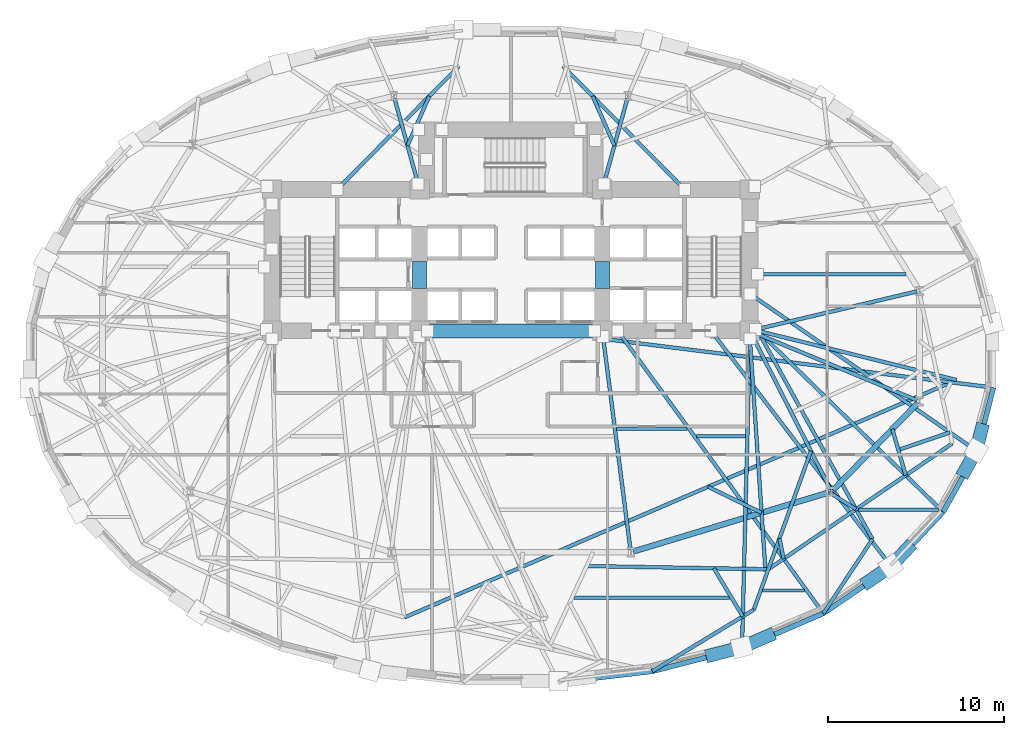
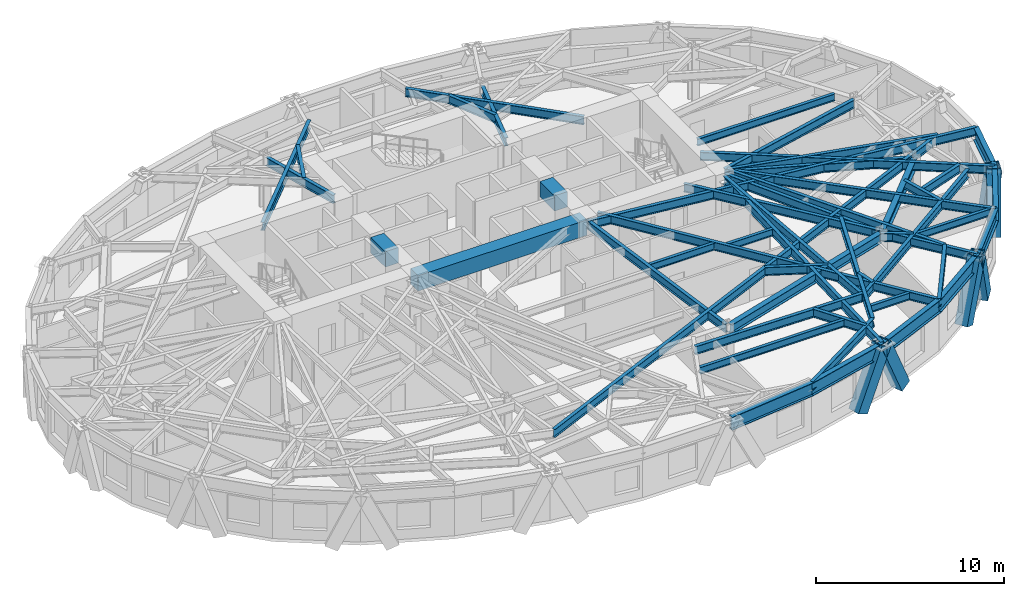
# One storey, part 3 of 13: 49 beams, 6 members.
"""IFC4 building model written with IfcOpenShell, lengths in metres."""

from ifc_helpers import new_model, si_unit, direction, frame, origin, origin_2d, place, context, subcontext, project, spatial, rectangle, hollow_rectangle, i_section, extrude, material, material_profile, profile_set, type_object, element, save


model = new_model("IFC4")

# Units and contexts
model_context = context("Model", 3, precision=1e-05, world=origin(), true_north=direction((0.0, 1.0)))
body_context = subcontext(model_context, "Body", "Model", "MODEL_VIEW")
ifc_project = project(units=[si_unit("LENGTHUNIT", "METRE"), si_unit("AREAUNIT", "SQUARE_METRE"), si_unit("VOLUMEUNIT", "CUBIC_METRE"), si_unit("PLANEANGLEUNIT", "RADIAN"), si_unit("MASSUNIT", "GRAM", prefix="KILO")], contexts=[model_context])

# Site, building, storey
site_placement = place(None, origin())
site = spatial("IfcSite", under=ifc_project, at=site_placement, CompositionType="ELEMENT")
building_placement = place(site_placement, origin())
building = spatial("IfcBuilding", under=site, at=building_placement, Name="Keldmark Tower", CompositionType="ELEMENT")
storey_placement = place(building_placement, frame((0.0, 0.0, 45.0)))
storey = spatial("IfcBuildingStorey", under=building, at=storey_placement, Name="L11", CompositionType="ELEMENT", Elevation=45.0)

# Beams
ifc_material_1 = material(Name="Steel ASTM A992 Grade 50", Category="steel")
ifc_material_profile_1 = material_profile(ifc_material_1, i_section(OverallWidth=0.19091796875, OverallDepth=0.45703125, WebThickness=0.009033203125, FlangeThickness=0.014404296875, at=origin_2d()), Name="W18X50")
ifc_profile_set_1 = profile_set([ifc_material_profile_1], Name="Steel ASTM A992 Grade 50")
beam_type_1 = type_object("IfcBeamType", Name="Composite Floor Joist W18X50", PredefinedType="JOIST", material=ifc_profile_set_1)
beam_1_placement = place(storey_placement, frame((3.57568359375, -13.800048828125, 3.17138671875), z_axis=(1.0, 0.0, 0.0), x_axis=(0.0, 1.0, 0.0)))
element("IfcBeam", 1, at=beam_1_placement, inside=storey, type_object=beam_type_1, Name="L11 Composite Floor Joist J02", PredefinedType="JOIST", context=body_context, shape_type="SweptSolid", body=[
    extrude(i_section(OverallWidth=0.19091796875, OverallDepth=0.45703125, WebThickness=0.009033203125, FlangeThickness=0.014404296875, at=origin_2d()), origin(), (0.0, 0.0, 1.0), 8.87353515625),
])
beam_2_placement = place(storey_placement, frame((14.321533203125, -13.3798828125, 3.17138671875), z_axis=(1.0, 0.0, 0.0), x_axis=(0.0, 1.0, 0.0)))
element("IfcBeam", 2, at=beam_2_placement, inside=storey, type_object=beam_type_1, Name="L11 Composite Floor Joist J03", PredefinedType="JOIST", context=body_context, shape_type="SweptSolid", body=[
    extrude(i_section(OverallWidth=0.19091796875, OverallDepth=0.45703125, WebThickness=0.009033203125, FlangeThickness=0.014404296875, at=origin_2d()), origin(), (0.0, 0.0, 1.0), 2.39453125),
])
beam_3_placement = place(storey_placement, frame((19.788818359375, -8.780029296875, 3.17138671875), z_axis=(1.0, 0.0, 0.0), x_axis=(0.0, 1.0, 0.0)))
element("IfcBeam", 3, at=beam_3_placement, inside=storey, type_object=beam_type_1, Name="L11 Composite Floor Joist J06", PredefinedType="JOIST", context=body_context, shape_type="SweptSolid", body=[
    extrude(i_section(OverallWidth=0.19091796875, OverallDepth=0.45703125, WebThickness=0.009033203125, FlangeThickness=0.014404296875, at=origin_2d()), origin(), (0.0, 0.0, 1.0), 4.5439453125),
])
beam_4_placement = place(storey_placement, frame((6.016845703125, -4.179931640625, 3.17138671875), z_axis=(1.0, 0.0, 0.0), x_axis=(0.0, 1.0, 0.0)))
element("IfcBeam", 4, at=beam_4_placement, inside=storey, type_object=beam_type_1, Name="L11 Composite Floor Joist J09", PredefinedType="JOIST", context=body_context, shape_type="SweptSolid", body=[
    extrude(i_section(OverallWidth=0.19091796875, OverallDepth=0.45703125, WebThickness=0.009033203125, FlangeThickness=0.014404296875, at=origin_2d()), origin(), (0.0, 0.0, 1.0), 4.003173828125),
])
beam_5_placement = place(storey_placement, frame((10.565673828125, -4.60009765625, 3.17138671875), z_axis=(1.0, 0.0, 0.0), x_axis=(0.0, 1.0, 0.0)))
element("IfcBeam", 5, at=beam_5_placement, inside=storey, type_object=beam_type_1, Name="L11 Composite Floor Joist J10", PredefinedType="JOIST", context=body_context, shape_type="SweptSolid", body=[
    extrude(i_section(OverallWidth=0.19091796875, OverallDepth=0.45703125, WebThickness=0.009033203125, FlangeThickness=0.014404296875, at=origin_2d()), origin(), (0.0, 0.0, 1.0), 2.797607421875),
])
beam_6_placement = place(storey_placement, frame((14.044921875, 4.6201171875, 3.17138671875), z_axis=(1.0, 0.0, 0.0), x_axis=(0.0, 1.0, 0.0)))
element("IfcBeam", 6, at=beam_6_placement, inside=storey, type_object=beam_type_1, Name="L11 Composite Floor Joist J13", PredefinedType="JOIST", context=body_context, shape_type="SweptSolid", body=[
    extrude(i_section(OverallWidth=0.19091796875, OverallDepth=0.45703125, WebThickness=0.009033203125, FlangeThickness=0.014404296875, at=origin_2d()), origin(), (0.0, 0.0, 1.0), 8.444580078125),
])
ifc_material_2 = material(Name="Concrete C70/85", Category="concrete")
ifc_material_profile_2 = material_profile(ifc_material_2, rectangle(XDim=0.800048828125, YDim=1.0, at=origin_2d()), Name="RCB800X1000")
ifc_profile_set_2 = profile_set([ifc_material_profile_2], Name="Concrete C70/85")
beam_type_2 = type_object("IfcBeamType", Name="Core Coupling Beam RCB800X1000", PredefinedType="USERDEFINED", material=ifc_profile_set_2)
for number, where, z_axis, x_axis, name in (
    (7, (-5.199951171875, 3.800048828125, 2.89990234375), (0.0, 1.0, 0.0), (-1.0, 0.0, 0.0), "L11 West Core Coupling Beam"),
    (8, (5.199951171875, 3.800048828125, 2.89990234375), (0.0, 1.0, 0.0), (-1.0, 0.0, 0.0), "L11 East Core Coupling Beam"),
):
    element("IfcBeam", number, at=place(storey_placement, frame(where, z_axis=z_axis, x_axis=x_axis)), inside=storey, type_object=beam_type_2, Name=name, ObjectType="COUPLING BEAM", PredefinedType="USERDEFINED", context=body_context, shape_type="SweptSolid", body=[
        extrude(rectangle(XDim=0.800048828125, YDim=1.0, at=origin_2d()), origin(), (0.0, 0.0, 1.0), 1.550048828125),
    ])
beam_7_placement = place(storey_placement, frame((-5.199951171875, 1.39990234375, 2.89990234375), z_axis=(1.0, 0.0, 0.0), x_axis=(0.0, 1.0, 0.0)))
element("IfcBeam", 9, at=beam_7_placement, inside=storey, type_object=beam_type_2, Name="L11 Central South Core Coupling Beam", ObjectType="COUPLING BEAM", PredefinedType="USERDEFINED", context=body_context, shape_type="SweptSolid", body=[
    extrude(rectangle(XDim=0.800048828125, YDim=1.0, at=origin_2d()), origin(), (0.0, 0.0, 1.0), 10.39990234375),
])

# Members
ifc_material_3 = material(Name="Steel ASTM A572 Grade 50", Category="steel")
ifc_material_profile_3 = material_profile(ifc_material_3, hollow_rectangle(XDim=0.75, YDim=0.75, WallThickness=0.06494140625, at=origin_2d()), Name="BOX750X750X65")
ifc_profile_set_3 = profile_set([ifc_material_profile_3], Name="Steel ASTM A572 Grade 50")
member_type = type_object("IfcMemberType", Name="Diagrid Lower Brace BOX750X750X65", PredefinedType="BRACE", material=ifc_profile_set_3)
member_1_placement = place(storey_placement, frame((11.43505859375, -17.053466796875, -0.280029296875), z_axis=(0.428494226352, 0.109845082283, 0.89684265949), x_axis=(-0.248321827558, 0.96867758824, 0.0)))
element("IfcMember", 10, at=member_1_placement, inside=storey, type_object=member_type, Name="L11 Perimeter Diagrid Brace 13B", PredefinedType="BRACE", context=body_context, shape_type="SweptSolid", body=[
    extrude(hollow_rectangle(XDim=0.75, YDim=0.75, WallThickness=0.06494140625, at=origin_2d()), origin(), (0.0, 0.0, 1.0), 3.969482421875),
])
member_2_placement = place(storey_placement, frame((14.66943359375, -15.958984375, -0.280029296875), z_axis=(-0.392299493002, -0.168429564178, 0.904285679253), x_axis=(0.394515266189, -0.918889386566, 0.0)))
element("IfcMember", 11, at=member_2_placement, inside=storey, type_object=member_type, Name="L11 Perimeter Diagrid Brace 14A", PredefinedType="BRACE", context=body_context, shape_type="SweptSolid", body=[
    extrude(hollow_rectangle(XDim=0.75, YDim=0.75, WallThickness=0.06494140625, at=origin_2d()), origin(), (0.0, 0.0, 1.0), 3.936767578125),
])
member_3_placement = place(storey_placement, frame((20.339111328125, -12.8837890625, -0.280029296875), z_axis=(0.333167796222, 0.225753042249, 0.915442397683), x_axis=(-0.560948167497, 0.827850924612, 0.0)))
element("IfcMember", 12, at=member_3_placement, inside=storey, type_object=member_type, Name="L11 Perimeter Diagrid Brace 14B", PredefinedType="BRACE", context=body_context, shape_type="SweptSolid", body=[
    extrude(hollow_rectangle(XDim=0.75, YDim=0.75, WallThickness=0.06494140625, at=origin_2d()), origin(), (0.0, 0.0, 1.0), 3.888916015625),
])
member_4_placement = place(storey_placement, frame((22.60498046875, -10.9677734375, -0.280029296875), z_axis=(-0.254987534516, -0.272673795643, 0.927701653772), x_axis=(0.730397557148, -0.683022260627, 0.0)))
element("IfcMember", 13, at=member_4_placement, inside=storey, type_object=member_type, Name="L11 Perimeter Diagrid Brace 15A", PredefinedType="BRACE", context=body_context, shape_type="SweptSolid", body=[
    extrude(hollow_rectangle(XDim=0.75, YDim=0.75, WallThickness=0.06494140625, at=origin_2d()), origin(), (0.0, 0.0, 1.0), 3.83740234375),
])
member_5_placement = place(storey_placement, frame((25.842041015625, -6.579345703125, -0.280029296875), z_axis=(0.16943120398, 0.303561561286, 0.937626495801), x_axis=(-0.873195871477, 0.487369438963, 0.0)))
element("IfcMember", 14, at=member_5_placement, inside=storey, type_object=member_type, Name="L11 Perimeter Diagrid Brace 15B", PredefinedType="BRACE", context=body_context, shape_type="SweptSolid", body=[
    extrude(hollow_rectangle(XDim=0.75, YDim=0.75, WallThickness=0.06494140625, at=origin_2d()), origin(), (0.0, 0.0, 1.0), 3.796875),
])
member_6_placement = place(storey_placement, frame((26.7900390625, -4.230224609375, -0.280029296875), z_axis=(-0.081943806471, -0.320072766982, 0.943842484961), x_axis=(0.968755649676, -0.248017118805, 0.0)))
element("IfcMember", 15, at=member_6_placement, inside=storey, type_object=member_type, Name="L11 Perimeter Diagrid Brace 16A", PredefinedType="BRACE", context=body_context, shape_type="SweptSolid", body=[
    extrude(hollow_rectangle(XDim=0.75, YDim=0.75, WallThickness=0.06494140625, at=origin_2d()), origin(), (0.0, 0.0, 1.0), 3.77197265625),
])

# Beams
ifc_material_4 = material(Name="Steel ASTM A992 Grade 50", Category="steel")
ifc_material_profile_4 = material_profile(ifc_material_4, i_section(OverallWidth=0.323974609375, OverallDepth=0.611083984375, WebThickness=0.0126953125, FlangeThickness=0.01904296875, at=origin_2d()), Name="W24X104")
ifc_profile_set_4 = profile_set([ifc_material_profile_4], Name="Steel ASTM A992 Grade 50")
beam_type_3 = type_object("IfcBeamType", Name="Primary Floor Girder W24X104", PredefinedType="BEAM", material=ifc_profile_set_4)
beam_8_placement = place(storey_placement, frame((6.9560546875, -11.165283203125, 3.094482421875), z_axis=(0.957346071406, 0.2889437654, 0.0), x_axis=(-0.2889437654, 0.957346071406, 0.0)))
element("IfcBeam", 16, at=beam_8_placement, inside=storey, type_object=beam_type_3, Name="L11 Floor Ring Girder FG-R10", PredefinedType="BEAM", context=body_context, shape_type="SweptSolid", body=[
    extrude(i_section(OverallWidth=0.323974609375, OverallDepth=0.611083984375, WebThickness=0.0126953125, FlangeThickness=0.01904296875, at=origin_2d()), origin(), (0.0, 0.0, 1.0), 11.66015625),
])
beam_9_placement = place(storey_placement, frame((18.350341796875, -7.6552734375, 3.094482421875), z_axis=(0.697210382268, 0.716866572563, 0.0), x_axis=(-0.716866572563, 0.697210382268, 0.0)))
element("IfcBeam", 17, at=beam_9_placement, inside=storey, type_object=beam_type_3, Name="L11 Floor Ring Girder FG-R11", PredefinedType="BEAM", context=body_context, shape_type="SweptSolid", body=[
    extrude(i_section(OverallWidth=0.323974609375, OverallDepth=0.611083984375, WebThickness=0.0126953125, FlangeThickness=0.01904296875, at=origin_2d()), origin(), (0.0, 0.0, 1.0), 6.893310546875),
])
ifc_material_5 = material(Name="Steel ASTM A992 Grade 50", Category="steel")
ifc_material_profile_5 = material_profile(ifc_material_5, i_section(OverallWidth=0.2099609375, OverallDepth=0.537109375, WebThickness=0.010986328125, FlangeThickness=0.017333984375, at=origin_2d()), Name="W21X68")
ifc_profile_set_5 = profile_set([ifc_material_profile_5], Name="Steel ASTM A992 Grade 50")
beam_type_4 = type_object("IfcBeamType", Name="Radial Tie Girder W21X68", PredefinedType="BEAM", material=ifc_profile_set_5)
beam_10_placement = place(storey_placement, frame((5.889404296875, 11.948486328125, 3.131591796875), z_axis=(-0.403401535143, 0.915023060608, 0.0), x_axis=(-0.915023060608, -0.403401535143, 0.0)))
element("IfcBeam", 18, at=beam_10_placement, inside=storey, type_object=beam_type_4, Name="L11 Framing Pin Header PH-002", PredefinedType="BEAM", context=body_context, shape_type="SweptSolid", body=[
    extrude(i_section(OverallWidth=0.2099609375, OverallDepth=0.537109375, WebThickness=0.010986328125, FlangeThickness=0.017333984375, at=origin_2d()), origin(), (0.0, 0.0, 1.0), 3.072509765625),
])
beam_11_placement = place(storey_placement, frame((9.892822265625, 9.449951171875, 3.131591796875), z_axis=(-0.702598504383, 0.711586496245, 0.0), x_axis=(-0.711586496245, -0.702598504383, 0.0)))
element("IfcBeam", 19, at=beam_11_placement, inside=storey, type_object=beam_type_4, Name="L11 Sub-Ring Step Girder STP1-M03", PredefinedType="BEAM", context=body_context, shape_type="SweptSolid", body=[
    extrude(i_section(OverallWidth=0.2099609375, OverallDepth=0.537109375, WebThickness=0.010986328125, FlangeThickness=0.017333984375, at=origin_2d()), origin(), (0.0, 0.0, 1.0), 9.860107421875),
])
beam_12_placement = place(storey_placement, frame((-5.889404296875, 11.948486328125, 3.131591796875), z_axis=(0.403401535143, 0.915023060608, 0.0), x_axis=(-0.915023060608, 0.403401535143, 0.0)))
element("IfcBeam", 20, at=beam_12_placement, inside=storey, type_object=beam_type_4, Name="L11 Framing Pin Header PH-003", PredefinedType="BEAM", context=body_context, shape_type="SweptSolid", body=[
    extrude(i_section(OverallWidth=0.2099609375, OverallDepth=0.537109375, WebThickness=0.010986328125, FlangeThickness=0.017333984375, at=origin_2d()), origin(), (0.0, 0.0, 1.0), 3.072509765625),
])
beam_13_placement = place(storey_placement, frame((-9.892822265625, 9.449951171875, 3.131591796875), z_axis=(0.702598504383, 0.711586496245, 0.0), x_axis=(-0.711586496245, 0.702598504383, 0.0)))
element("IfcBeam", 21, at=beam_13_placement, inside=storey, type_object=beam_type_4, Name="L11 Sub-Ring Step Girder STP1-M04", PredefinedType="BEAM", context=body_context, shape_type="SweptSolid", body=[
    extrude(i_section(OverallWidth=0.2099609375, OverallDepth=0.537109375, WebThickness=0.010986328125, FlangeThickness=0.017333984375, at=origin_2d()), origin(), (0.0, 0.0, 1.0), 9.860107421875),
])
beam_14_placement = place(storey_placement, frame((14.050048828125, 1.39990234375, 3.131591796875), z_axis=(0.970791969309, -0.239922804929, 0.0), x_axis=(0.239922804929, 0.970791969309, 0.0)))
element("IfcBeam", 22, at=beam_14_placement, inside=storey, type_object=beam_type_4, Name="L11 Sub-Ring Step Girder STP1-M12", PredefinedType="BEAM", context=body_context, shape_type="SweptSolid", body=[
    extrude(i_section(OverallWidth=0.2099609375, OverallDepth=0.537109375, WebThickness=0.010986328125, FlangeThickness=0.017333984375, at=origin_2d()), origin(), (0.0, 0.0, 1.0), 11.656494140625),
])
beam_15_placement = place(storey_placement, frame((-6.0634765625, -14.916015625, 3.131591796875), z_axis=(0.91862010832, 0.395141868942, 0.0), x_axis=(-0.395141868942, 0.91862010832, 0.0)))
element("IfcBeam", 23, at=beam_15_placement, inside=storey, type_object=beam_type_4, Name="L11 Perimeter Collector Ring Beam CRG1-M09", PredefinedType="BEAM", context=body_context, shape_type="SweptSolid", body=[
    extrude(i_section(OverallWidth=0.2099609375, OverallDepth=0.537109375, WebThickness=0.010986328125, FlangeThickness=0.017333984375, at=origin_2d()), origin(), (0.0, 0.0, 1.0), 34.2138671875),
])
beam_16_placement = place(storey_placement, frame((11.22265625, -7.48046875, 3.131591796875), z_axis=(0.899644164592, -0.436623839381, 0.0), x_axis=(0.436623839381, 0.899644164592, 0.0)))
element("IfcBeam", 24, at=beam_16_placement, inside=storey, type_object=beam_type_4, Name="L11 Framing Pin Header PH-014", PredefinedType="BEAM", context=body_context, shape_type="SweptSolid", body=[
    extrude(i_section(OverallWidth=0.2099609375, OverallDepth=0.537109375, WebThickness=0.010986328125, FlangeThickness=0.017333984375, at=origin_2d()), origin(), (0.0, 0.0, 1.0), 3.385009765625),
])
beam_17_placement = place(storey_placement, frame((13.60009765625, 0.949951171875, 3.131591796875), z_axis=(0.067249465921, -0.997736192254, 0.0), x_axis=(0.997736192254, 0.067249465921, 0.0)))
element("IfcBeam", 25, at=beam_17_placement, inside=storey, type_object=beam_type_4, Name="L11 Sub-Ring Step Girder STP2-M11", PredefinedType="BEAM", context=body_context, shape_type="SweptSolid", body=[
    extrude(i_section(OverallWidth=0.2099609375, OverallDepth=0.537109375, WebThickness=0.010986328125, FlangeThickness=0.017333984375, at=origin_2d()), origin(), (0.0, 0.0, 1.0), 13.265380859375),
])
beam_18_placement = place(storey_placement, frame((14.4921875, -12.285400390625, 3.131591796875), z_axis=(0.82527984309, 0.564723986199, 0.0), x_axis=(-0.564723986199, 0.82527984309, 0.0)))
element("IfcBeam", 26, at=beam_18_placement, inside=storey, type_object=beam_type_4, Name="L11 Perimeter Collector Ring Beam CRG2-M11", PredefinedType="BEAM", context=body_context, shape_type="SweptSolid", body=[
    extrude(i_section(OverallWidth=0.2099609375, OverallDepth=0.537109375, WebThickness=0.010986328125, FlangeThickness=0.017333984375, at=origin_2d()), origin(), (0.0, 0.0, 1.0), 12.886474609375),
])
beam_19_placement = place(storey_placement, frame((4.3115234375, -11.99169921875, 3.131591796875), z_axis=(0.99984245989, -0.017749800043, 0.0), x_axis=(0.017749800043, 0.99984245989, 0.0)))
element("IfcBeam", 27, at=beam_19_placement, inside=storey, type_object=beam_type_4, Name="L11 Framing Pin Header PH-037", PredefinedType="BEAM", context=body_context, shape_type="SweptSolid", body=[
    extrude(i_section(OverallWidth=0.2099609375, OverallDepth=0.537109375, WebThickness=0.010986328125, FlangeThickness=0.017333984375, at=origin_2d()), origin(), (0.0, 0.0, 1.0), 10.343505859375),
])
beam_20_placement = place(storey_placement, frame((17.078369140625, -5.4443359375, 3.131591796875), z_axis=(-0.338967889835, -0.940797943057, 0.0), x_axis=(0.940797943057, -0.338967889835, 0.0)))
element("IfcBeam", 28, at=beam_20_placement, inside=storey, type_object=beam_type_4, Name="L11 Intermediate Radial Step Girder RT-27M", PredefinedType="BEAM", context=body_context, shape_type="SweptSolid", body=[
    extrude(i_section(OverallWidth=0.2099609375, OverallDepth=0.537109375, WebThickness=0.010986328125, FlangeThickness=0.017333984375, at=origin_2d()), origin(), (0.0, 0.0, 1.0), 9.6044921875),
])
beam_21_placement = place(storey_placement, frame((8.05029296875, -17.982666015625, 3.131591796875), z_axis=(0.854936428272, 0.51873278633, 0.0), x_axis=(-0.51873278633, 0.854936428272, 0.0)))
element("IfcBeam", 29, at=beam_21_placement, inside=storey, type_object=beam_type_4, Name="L11 Local Collector Chord RT-27C", PredefinedType="BEAM", context=body_context, shape_type="SweptSolid", body=[
    extrude(i_section(OverallWidth=0.2099609375, OverallDepth=0.537109375, WebThickness=0.010986328125, FlangeThickness=0.017333984375, at=origin_2d()), origin(), (0.0, 0.0, 1.0), 6.751953125),
])
beam_22_placement = place(storey_placement, frame((11.55078125, -12.120361328125, 3.131591796875), z_axis=(0.515843130065, -0.856683059926, 0.0), x_axis=(0.856683059926, 0.515843130065, 0.0)))
element("IfcBeam", 30, at=beam_22_placement, inside=storey, type_object=beam_type_4, Name="L11 Framing Pin Header PH-038", PredefinedType="BEAM", context=body_context, shape_type="SweptSolid", body=[
    extrude(i_section(OverallWidth=0.2099609375, OverallDepth=0.537109375, WebThickness=0.010986328125, FlangeThickness=0.017333984375, at=origin_2d()), origin(), (0.0, 0.0, 1.0), 3.196044921875),
])
beam_23_placement = place(storey_placement, frame((13.60009765625, 0.949951171875, 3.131591796875), z_axis=(-0.02534127953, -0.99967885821, 0.0), x_axis=(0.99967885821, -0.02534127953, 0.0)))
element("IfcBeam", 31, at=beam_23_placement, inside=storey, type_object=beam_type_4, Name="L11 Perimeter Radial Tie Girder RT-27", PredefinedType="BEAM", context=body_context, shape_type="SweptSolid", body=[
    extrude(i_section(OverallWidth=0.2099609375, OverallDepth=0.537109375, WebThickness=0.010986328125, FlangeThickness=0.017333984375, at=origin_2d()), origin(), (0.0, 0.0, 1.0), 17.63037109375),
])
beam_24_placement = place(storey_placement, frame((15.287841796875, -10.4140625, 3.131591796875), z_axis=(0.199630044772, -0.979871341159, 0.0), x_axis=(0.979871341159, 0.199630044772, 0.0)))
element("IfcBeam", 32, at=beam_24_placement, inside=storey, type_object=beam_type_4, Name="L11 Framing Pin Header PH-039", PredefinedType="BEAM", context=body_context, shape_type="SweptSolid", body=[
    extrude(i_section(OverallWidth=0.2099609375, OverallDepth=0.537109375, WebThickness=0.010986328125, FlangeThickness=0.017333984375, at=origin_2d()), origin(), (0.0, 0.0, 1.0), 1.188720703125),
])
beam_25_placement = place(storey_placement, frame((6.07861328125, 1.39990234375, 3.131591796875), z_axis=(0.588470082326, -0.808518993102, 0.0), x_axis=(0.808518993102, 0.588470082326, 0.0)))
element("IfcBeam", 33, at=beam_25_placement, inside=storey, type_object=beam_type_4, Name="L11 Perimeter Radial Tie Girder RT-28", PredefinedType="BEAM", context=body_context, shape_type="SweptSolid", body=[
    extrude(i_section(OverallWidth=0.2099609375, OverallDepth=0.537109375, WebThickness=0.010986328125, FlangeThickness=0.017333984375, at=origin_2d()), origin(), (0.0, 0.0, 1.0), 19.895263671875),
])
beam_26_placement = place(storey_placement, frame((18.118896484375, -7.796142578125, 3.131591796875), z_axis=(0.845948150047, -0.533265156776, 0.0), x_axis=(0.533265156776, 0.845948150047, 0.0)))
element("IfcBeam", 34, at=beam_26_placement, inside=storey, type_object=beam_type_4, Name="L11 Framing Pin Header PH-040", PredefinedType="BEAM", context=body_context, shape_type="SweptSolid", body=[
    extrude(i_section(OverallWidth=0.2099609375, OverallDepth=0.537109375, WebThickness=0.010986328125, FlangeThickness=0.017333984375, at=origin_2d()), origin(), (0.0, 0.0, 1.0), 1.80517578125),
])
beam_27_placement = place(storey_placement, frame((14.050048828125, 1.39990234375, 3.131591796875), z_axis=(0.482477991977, -0.875908092929, 0.0), x_axis=(0.875908092929, 0.482477991977, 0.0)))
element("IfcBeam", 35, at=beam_27_placement, inside=storey, type_object=beam_type_4, Name="L11 Intermediate Radial Step Girder RT-29M", PredefinedType="BEAM", context=body_context, shape_type="SweptSolid", body=[
    extrude(i_section(OverallWidth=0.2099609375, OverallDepth=0.537109375, WebThickness=0.010986328125, FlangeThickness=0.017333984375, at=origin_2d()), origin(), (0.0, 0.0, 1.0), 13.538330078125),
])
beam_28_placement = place(storey_placement, frame((17.786376953125, -14.685791015625, 3.131591796875), z_axis=(0.551617097715, 0.834097462836, 0.0), x_axis=(-0.834097462836, 0.551617097715, 0.0)))
element("IfcBeam", 36, at=beam_28_placement, inside=storey, type_object=beam_type_4, Name="L11 Local Collector Chord RT-29C", PredefinedType="BEAM", context=body_context, shape_type="SweptSolid", body=[
    extrude(i_section(OverallWidth=0.2099609375, OverallDepth=0.537109375, WebThickness=0.010986328125, FlangeThickness=0.017333984375, at=origin_2d()), origin(), (0.0, 0.0, 1.0), 5.068115234375),
])
beam_29_placement = place(storey_placement, frame((11.392822265625, 1.39990234375, 3.131591796875), z_axis=(0.607192621038, -0.794554668325, 0.0), x_axis=(0.794554668325, 0.607192621038, 0.0)))
element("IfcBeam", 37, at=beam_29_placement, inside=storey, type_object=beam_type_4, Name="L11 Perimeter Radial Tie Girder RT-29", PredefinedType="BEAM", context=body_context, shape_type="SweptSolid", body=[
    extrude(i_section(OverallWidth=0.2099609375, OverallDepth=0.537109375, WebThickness=0.010986328125, FlangeThickness=0.017333984375, at=origin_2d()), origin(), (0.0, 0.0, 1.0), 16.930419921875),
])
beam_30_placement = place(storey_placement, frame((21.714599609375, -4.196044921875, 3.131591796875), z_axis=(0.276523764245, -0.961007079999, 0.0), x_axis=(0.961007079999, 0.276523764245, 0.0)))
element("IfcBeam", 38, at=beam_30_placement, inside=storey, type_object=beam_type_4, Name="L11 Framing Pin Header PH-041", PredefinedType="BEAM", context=body_context, shape_type="SweptSolid", body=[
    extrude(i_section(OverallWidth=0.2099609375, OverallDepth=0.537109375, WebThickness=0.010986328125, FlangeThickness=0.017333984375, at=origin_2d()), origin(), (0.0, 0.0, 1.0), 2.736083984375),
])
beam_31_placement = place(storey_placement, frame((14.050048828125, 1.39990234375, 3.131591796875), z_axis=(0.715378294414, -0.698737358298, 0.0), x_axis=(0.698737358298, 0.715378294414, 0.0)))
element("IfcBeam", 39, at=beam_31_placement, inside=storey, type_object=beam_type_4, Name="L11 Perimeter Radial Tie Girder RT-30", PredefinedType="BEAM", context=body_context, shape_type="SweptSolid", body=[
    extrude(i_section(OverallWidth=0.2099609375, OverallDepth=0.537109375, WebThickness=0.010986328125, FlangeThickness=0.017333984375, at=origin_2d()), origin(), (0.0, 0.0, 1.0), 14.759033203125),
])
beam_32_placement = place(storey_placement, frame((22.05517578125, -5.37939453125, 3.131591796875), z_axis=(0.946872084839, 0.321610408651, 0.0), x_axis=(-0.321610408651, 0.946872084839, 0.0)))
element("IfcBeam", 40, at=beam_32_placement, inside=storey, type_object=beam_type_4, Name="L11 Framing Pin Header PH-042", PredefinedType="BEAM", context=body_context, shape_type="SweptSolid", body=[
    extrude(i_section(OverallWidth=0.2099609375, OverallDepth=0.537109375, WebThickness=0.010986328125, FlangeThickness=0.017333984375, at=origin_2d()), origin(), (0.0, 0.0, 1.0), 3.099365234375),
])
beam_33_placement = place(storey_placement, frame((13.60009765625, 3.507080078125, 3.131591796875), z_axis=(0.822045857539, -0.569421292281, 0.0), x_axis=(0.569421292281, 0.822045857539, 0.0)))
element("IfcBeam", 41, at=beam_33_placement, inside=storey, type_object=beam_type_4, Name="L11 Perimeter Radial Tie Girder RT-31", PredefinedType="BEAM", context=body_context, shape_type="SweptSolid", body=[
    extrude(i_section(OverallWidth=0.2099609375, OverallDepth=0.537109375, WebThickness=0.010986328125, FlangeThickness=0.017333984375, at=origin_2d()), origin(), (0.0, 0.0, 1.0), 15.739013671875),
])
beam_34_placement = place(storey_placement, frame((5.199951171875, 0.949951171875, 3.131591796875), z_axis=(0.992279383121, -0.124022682736, 0.0), x_axis=(0.124022682736, 0.992279383121, 0.0)))
element("IfcBeam", 42, at=beam_34_placement, inside=storey, type_object=beam_type_4, Name="L11 Perimeter Radial Tie Girder RT-32", PredefinedType="BEAM", context=body_context, shape_type="SweptSolid", body=[
    extrude(i_section(OverallWidth=0.2099609375, OverallDepth=0.537109375, WebThickness=0.010986328125, FlangeThickness=0.017333984375, at=origin_2d()), origin(), (0.0, 0.0, 1.0), 22.439208984375),
])
ifc_material_6 = material(Name="Steel ASTM A992 Grade 50", Category="steel")
ifc_material_profile_6 = material_profile(ifc_material_6, i_section(OverallWidth=0.214111328125, OverallDepth=0.549072265625, WebThickness=0.0146484375, FlangeThickness=0.023681640625, at=origin_2d()), Name="W21X93")
ifc_profile_set_6 = profile_set([ifc_material_profile_6], Name="Steel ASTM A992 Grade 50")
beam_type_5 = type_object("IfcBeamType", Name="Radial Tie Girder W21X93", PredefinedType="BEAM", material=ifc_profile_set_6)
beam_35_placement = place(storey_placement, frame((23.11767578125, 3.64501953125, 3.12548828125), z_axis=(-0.973287364179, -0.229590301909, 0.0), x_axis=(0.229590301909, -0.973287364179, 0.0)))
element("IfcBeam", 43, at=beam_35_placement, inside=storey, type_object=beam_type_5, Name="L11 Floor Radial Girder FG-C01", PredefinedType="BEAM", context=body_context, shape_type="SweptSolid", body=[
    extrude(i_section(OverallWidth=0.214111328125, OverallDepth=0.549072265625, WebThickness=0.0146484375, FlangeThickness=0.023681640625, at=origin_2d()), origin(), (0.0, 0.0, 1.0), 9.458740234375),
])
for number, where, z_axis, x_axis, name in (
    (44, (6.6279296875, 14.625, 3.12548828125), (-0.265984786353, -0.963977226613, 0.0), (0.963977226613, -0.265984786353, 0.0), "L11 Floor Radial Girder FG-C03"),
    (45, (-6.6279296875, 14.625, 3.12548828125), (0.265984786353, -0.963977226613, 0.0), (0.963977226613, 0.265984786353, 0.0), "L11 Floor Radial Girder FG-C04"),
):
    element("IfcBeam", number, at=place(storey_placement, frame(where, z_axis=z_axis, x_axis=x_axis)), inside=storey, type_object=beam_type_5, Name=name, PredefinedType="BEAM", context=body_context, shape_type="SweptSolid", body=[
        extrude(i_section(OverallWidth=0.214111328125, OverallDepth=0.549072265625, WebThickness=0.0146484375, FlangeThickness=0.023681640625, at=origin_2d()), origin(), (0.0, 0.0, 1.0), 5.04833984375),
    ])
beam_36_placement = place(storey_placement, frame((6.80419921875, -11.06689453125, 3.12548828125), z_axis=(-0.127634898593, 0.99182122011, 0.0), x_axis=(-0.99182122011, -0.127634898593, 0.0)))
element("IfcBeam", 46, at=beam_36_placement, inside=storey, type_object=beam_type_5, Name="L11 Floor Radial Girder FG-C10", PredefinedType="BEAM", context=body_context, shape_type="SweptSolid", body=[
    extrude(i_section(OverallWidth=0.214111328125, OverallDepth=0.549072265625, WebThickness=0.0146484375, FlangeThickness=0.023681640625, at=origin_2d()), origin(), (0.0, 0.0, 1.0), 12.24951171875),
])
beam_37_placement = place(storey_placement, frame((18.189453125, -7.630859375, 3.12548828125), z_axis=(-0.453037526986, 0.891491446478, 0.0), x_axis=(-0.891491446478, -0.453037526986, 0.0)))
element("IfcBeam", 47, at=beam_37_placement, inside=storey, type_object=beam_type_5, Name="L11 Floor Radial Girder FG-C11", PredefinedType="BEAM", context=body_context, shape_type="SweptSolid", body=[
    extrude(i_section(OverallWidth=0.214111328125, OverallDepth=0.549072265625, WebThickness=0.0146484375, FlangeThickness=0.023681640625, at=origin_2d()), origin(), (0.0, 0.0, 1.0), 9.81005859375),
])
beam_38_placement = place(storey_placement, frame((23.124755859375, -2.5595703125, 3.12548828125), z_axis=(-0.923390978102, 0.383860784088, 0.0), x_axis=(-0.383860784088, -0.923390978102, 0.0)))
element("IfcBeam", 48, at=beam_38_placement, inside=storey, type_object=beam_type_5, Name="L11 Floor Radial Girder FG-C12", PredefinedType="BEAM", context=body_context, shape_type="SweptSolid", body=[
    extrude(i_section(OverallWidth=0.214111328125, OverallDepth=0.549072265625, WebThickness=0.0146484375, FlangeThickness=0.023681640625, at=origin_2d()), origin(), (0.0, 0.0, 1.0), 9.994873046875),
])
ifc_material_7 = material(Name="Steel ASTM A992 Grade 50", Category="steel")
ifc_material_profile_7 = material_profile(ifc_material_7, i_section(OverallWidth=0.2919921875, OverallDepth=0.85888671875, WebThickness=0.01708984375, FlangeThickness=0.031005859375, at=origin_2d()), Name="W33X169")
ifc_profile_set_7 = profile_set([ifc_material_profile_7], Name="Steel ASTM A992 Grade 50")
beam_type_6 = type_object("IfcBeamType", Name="Spandrel Ring Beam W33X169", PredefinedType="SPANDREL", material=ifc_profile_set_7)
beam_39_placement = place(storey_placement, frame((2.705078125, -18.611083984375, 2.970458984375), z_axis=(0.993159890371, 0.116762289112, 0.0), x_axis=(-0.116762289112, 0.993159890371, 0.0)))
element("IfcBeam", 49, at=beam_39_placement, inside=storey, type_object=beam_type_6, Name="L11 Perimeter Spandrel Ring Beam SRB-25", PredefinedType="SPANDREL", context=body_context, shape_type="SweptSolid", body=[
    extrude(i_section(OverallWidth=0.2919921875, OverallDepth=0.85888671875, WebThickness=0.01708984375, FlangeThickness=0.031005859375, at=origin_2d()), origin(), (0.0, 0.0, 1.0), 5.382080078125),
])
beam_40_placement = place(storey_placement, frame((8.05029296875, -17.982666015625, 2.970458984375), z_axis=(0.968691592339, 0.248267192621, 0.0), x_axis=(-0.248267192621, 0.968691592339, 0.0)))
element("IfcBeam", 50, at=beam_40_placement, inside=storey, type_object=beam_type_6, Name="L11 Perimeter Spandrel Ring Beam SRB-26", PredefinedType="SPANDREL", context=body_context, shape_type="SweptSolid", body=[
    extrude(i_section(OverallWidth=0.2919921875, OverallDepth=0.85888671875, WebThickness=0.01708984375, FlangeThickness=0.031005859375, at=origin_2d()), origin(), (0.0, 0.0, 1.0), 5.26806640625),
])
beam_41_placement = place(storey_placement, frame((13.1533203125, -16.6748046875, 2.970458984375), z_axis=(0.91889940345, 0.394491934442, 0.0), x_axis=(-0.394491934442, 0.91889940345, 0.0)))
element("IfcBeam", 51, at=beam_41_placement, inside=storey, type_object=beam_type_6, Name="L11 Perimeter Spandrel Ring Beam SRB-27", PredefinedType="SPANDREL", context=body_context, shape_type="SweptSolid", body=[
    extrude(i_section(OverallWidth=0.2919921875, OverallDepth=0.85888671875, WebThickness=0.01708984375, FlangeThickness=0.031005859375, at=origin_2d()), origin(), (0.0, 0.0, 1.0), 5.0419921875),
])
beam_42_placement = place(storey_placement, frame((17.786376953125, -14.685791015625, 2.970458984375), z_axis=(0.827842346852, 0.560960826402, 0.0), x_axis=(-0.560960826402, 0.827842346852, 0.0)))
element("IfcBeam", 52, at=beam_42_placement, inside=storey, type_object=beam_type_6, Name="L11 Perimeter Spandrel Ring Beam SRB-28", PredefinedType="SPANDREL", context=body_context, shape_type="SweptSolid", body=[
    extrude(i_section(OverallWidth=0.2919921875, OverallDepth=0.85888671875, WebThickness=0.01708984375, FlangeThickness=0.031005859375, at=origin_2d()), origin(), (0.0, 0.0, 1.0), 4.69482421875),
])
beam_43_placement = place(storey_placement, frame((21.6728515625, -12.05224609375, 2.970458984375), z_axis=(0.68299392258, 0.730424056093, 0.0), x_axis=(-0.730424056093, 0.68299392258, 0.0)))
element("IfcBeam", 53, at=beam_43_placement, inside=storey, type_object=beam_type_6, Name="L11 Perimeter Spandrel Ring Beam SRB-29", PredefinedType="SPANDREL", context=body_context, shape_type="SweptSolid", body=[
    extrude(i_section(OverallWidth=0.2919921875, OverallDepth=0.85888671875, WebThickness=0.01708984375, FlangeThickness=0.031005859375, at=origin_2d()), origin(), (0.0, 0.0, 1.0), 4.298095703125),
])
beam_44_placement = place(storey_placement, frame((24.6083984375, -8.912841796875, 2.970458984375), z_axis=(0.487369438963, 0.873195871477, 0.0), x_axis=(-0.873195871477, 0.487369438963, 0.0)))
element("IfcBeam", 54, at=beam_44_placement, inside=storey, type_object=beam_type_6, Name="L11 Perimeter Spandrel Ring Beam SRB-30", PredefinedType="SPANDREL", context=body_context, shape_type="SweptSolid", body=[
    extrude(i_section(OverallWidth=0.2919921875, OverallDepth=0.85888671875, WebThickness=0.01708984375, FlangeThickness=0.031005859375, at=origin_2d()), origin(), (0.0, 0.0, 1.0), 3.9599609375),
])
beam_45_placement = place(storey_placement, frame((26.538330078125, -5.455078125, 2.970458984375), z_axis=(0.248062710061, 0.968743976434, 0.0), x_axis=(-0.968743976434, 0.248062710061, 0.0)))
element("IfcBeam", 55, at=beam_45_placement, inside=storey, type_object=beam_type_6, Name="L11 Perimeter Spandrel Ring Beam SRB-31", PredefinedType="SPANDREL", context=body_context, shape_type="SweptSolid", body=[
    extrude(i_section(OverallWidth=0.2919921875, OverallDepth=0.85888671875, WebThickness=0.01708984375, FlangeThickness=0.031005859375, at=origin_2d()), origin(), (0.0, 0.0, 1.0), 3.739013671875),
])

save(model, "model.ifc")
